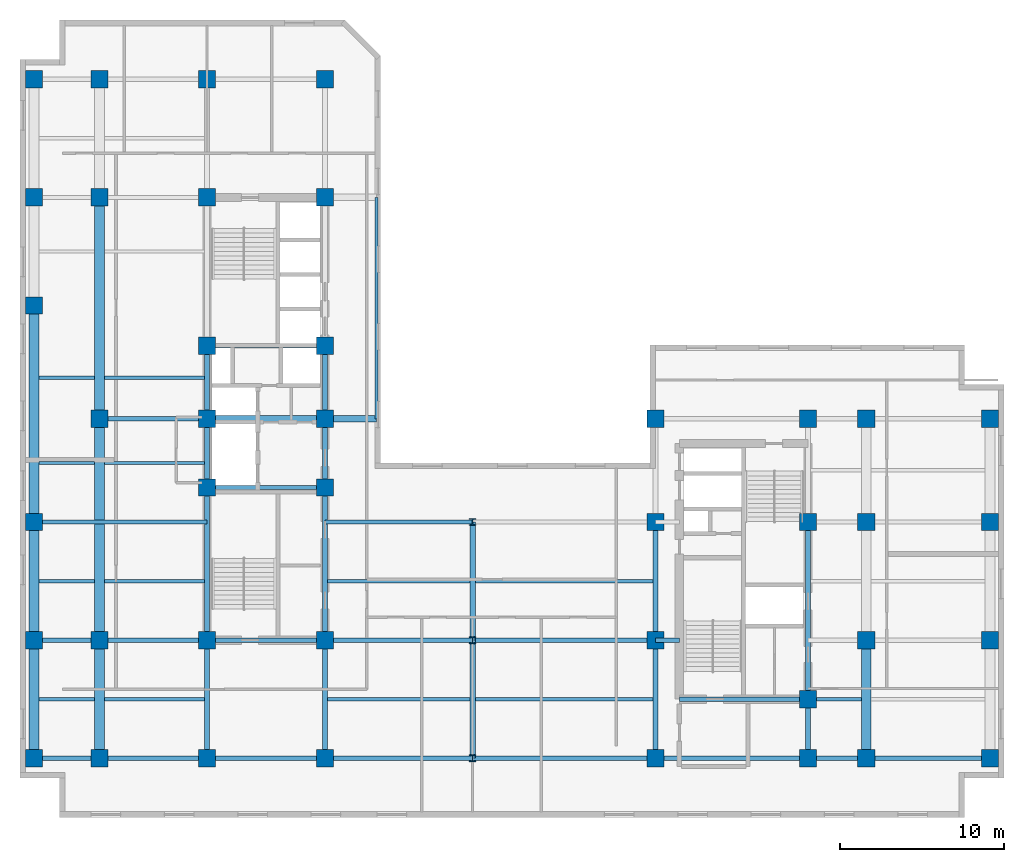
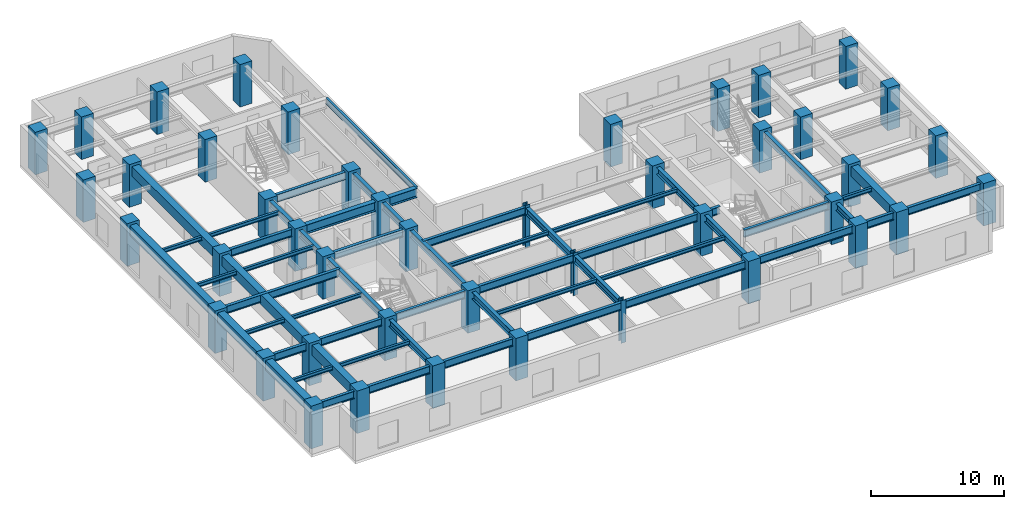
# One storey, part 1 of 9: 56 beams, 44 columns.
"""IFC4 building model written with IfcOpenShell, lengths in metres."""

from ifc_helpers import new_model, entity, si_unit, converted_unit, direction, frame, origin_with_axes, origin_2d_with_axis, place, context, subcontext, project, spatial, rectangle, i_section, extrude, material, material_profile, profile_set, type_object, element, save


model = new_model("IFC4")

# Units and contexts
model_context = context("Model", 3, precision=1e-05, world=origin_with_axes(), true_north=direction((0.0, 1.0)))
body_context = subcontext(model_context, "Body", "Model", "MODEL_VIEW")
ifc_project = project(units=[si_unit("LENGTHUNIT", "METRE"), si_unit("AREAUNIT", "SQUARE_METRE"), si_unit("VOLUMEUNIT", "CUBIC_METRE"), converted_unit("PLANEANGLEUNIT", "DEGREE", entity("IfcPlaneAngleMeasure", 0.017453292519943295), si_unit("PLANEANGLEUNIT", "RADIAN"), dimensions=[0, 0, 0, 0, 0, 0, 0]), si_unit("MASSUNIT", "GRAM", prefix="KILO"), si_unit("THERMODYNAMICTEMPERATUREUNIT", "KELVIN")], contexts=[model_context])

# Site, building, storey
site_placement = place(None, origin_with_axes())
site = spatial("IfcSite", under=ifc_project, at=site_placement, CompositionType="ELEMENT")
building_placement = place(site_placement, origin_with_axes())
building = spatial("IfcBuilding", under=site, at=building_placement, Name="Varnlund Millrace Tower", CompositionType="ELEMENT")
storey_placement = place(building_placement, frame((0.0, 0.0, 140.7), z_axis=(0.0, 0.0, 1.0), x_axis=(1.0, 0.0, 0.0)))
storey = spatial("IfcBuildingStorey", under=building, at=storey_placement, Name="L34", CompositionType="ELEMENT", Elevation=140.7)

# Columns
ifc_material_1 = material(Name="Steel ASTM A913 Grade 65", Category="steel")
ifc_material_profile_1 = material_profile(ifc_material_1, i_section(OverallWidth=0.406, OverallDepth=0.416, WebThickness=0.0298, FlangeThickness=0.048, FilletRadius=0.022, at=origin_2d_with_axis()), Name="Steel ASTM A913 Grade 65")
ifc_profile_set_1 = profile_set([ifc_material_profile_1], Name="Steel ASTM A913 Grade 65")
column_type_1 = type_object("IfcColumnType", Name="Type-Col-Int-W14X257", PredefinedType="COLUMN", material=ifc_profile_set_1)
for number, where, z_axis, x_axis, name in (
    (1, (27.6, 3.6, 0.0), (0.0, 0.0, 1.0), (1.0, 0.0, 0.0), "Type-Col-Int-W14X257"),
    (2, (27.6, 10.8, 0.0), (0.0, 0.0, 1.0), (1.0, 0.0, 0.0), "Type-Col-Int-W14X257"),
    (3, (27.6, 18.0, 0.0), (0.0, 0.0, 1.0), (1.0, 0.0, 0.0), "Type-Col-Int-W14X257"),
):
    element("IfcColumn", number, at=place(storey_placement, frame(where, z_axis=z_axis, x_axis=x_axis)), inside=storey, type_object=column_type_1, Name=name, PredefinedType="COLUMN", context=body_context, shape_type="SweptSolid", body=[
        extrude(i_section(OverallWidth=0.406, OverallDepth=0.416, WebThickness=0.0298, FlangeThickness=0.048, FilletRadius=0.022, at=origin_2d_with_axis()), origin_with_axes(), (0.0, 0.0, 1.0), 3.9),
    ])
ifc_material_2 = material(Name="Concrete C70/85", Category="concrete")
ifc_material_profile_2 = material_profile(ifc_material_2, rectangle(XDim=1.05, YDim=1.05, at=origin_2d_with_axis()), Name="Concrete C70/85")
ifc_profile_set_2 = profile_set([ifc_material_profile_2], Name="Concrete C70/85")
column_type_2 = type_object("IfcColumnType", Name="Type-Col-RC1050-C70", PredefinedType="COLUMN", material=ifc_profile_set_2)
for number, where, z_axis, x_axis, name in (
    (4, (11.4, 3.6, 0.0), (0.0, 0.0, 1.0), (1.0, 0.0, 0.0), "Type-Col-RC1050-C70"),
    (5, (11.4, 10.8, 0.0), (0.0, 0.0, 1.0), (1.0, 0.0, 0.0), "Type-Col-RC1050-C70"),
    (6, (11.4, 20.1, 0.0), (0.0, 0.0, 1.0), (1.0, 0.0, 0.0), "Type-Col-RC1050-C70"),
    (7, (11.4, 24.3, 0.0), (0.0, 0.0, 1.0), (1.0, 0.0, 0.0), "Type-Col-RC1050-C70"),
    (8, (11.4, 28.75, 0.0), (0.0, 0.0, 1.0), (1.0, 0.0, 0.0), "Type-Col-RC1050-C70"),
    (9, (11.4, 37.8, 0.0), (0.0, 0.0, 1.0), (1.0, 0.0, 0.0), "Type-Col-RC1050-C70"),
    (10, (11.4, 45.0, 0.0), (0.0, 0.0, 1.0), (1.0, 0.0, 0.0), "Type-Col-RC1050-C70"),
    (11, (18.6, 3.6, 0.0), (0.0, 0.0, 1.0), (1.0, 0.0, 0.0), "Type-Col-RC1050-C70"),
    (12, (18.6, 10.8, 0.0), (0.0, 0.0, 1.0), (1.0, 0.0, 0.0), "Type-Col-RC1050-C70"),
    (13, (18.6, 20.1, 0.0), (0.0, 0.0, 1.0), (1.0, 0.0, 0.0), "Type-Col-RC1050-C70"),
    (14, (18.6, 24.3, 0.0), (0.0, 0.0, 1.0), (1.0, 0.0, 0.0), "Type-Col-RC1050-C70"),
    (15, (18.6, 28.75, 0.0), (0.0, 0.0, 1.0), (1.0, 0.0, 0.0), "Type-Col-RC1050-C70"),
    (16, (18.6, 37.8, 0.0), (0.0, 0.0, 1.0), (1.0, 0.0, 0.0), "Type-Col-RC1050-C70"),
    (17, (18.6, 45.0, 0.0), (0.0, 0.0, 1.0), (1.0, 0.0, 0.0), "Type-Col-RC1050-C70"),
    (18, (4.85, 3.6, 0.0), (0.0, 0.0, 1.0), (1.0, 0.0, 0.0), "Type-Col-RC1050-C70"),
    (19, (4.85, 10.8, 0.0), (0.0, 0.0, 1.0), (1.0, 0.0, 0.0), "Type-Col-RC1050-C70"),
    (20, (4.85, 24.3, 0.0), (0.0, 0.0, 1.0), (1.0, 0.0, 0.0), "Type-Col-RC1050-C70"),
    (21, (4.85, 37.8, 0.0), (0.0, 0.0, 1.0), (1.0, 0.0, 0.0), "Type-Col-RC1050-C70"),
    (22, (4.85, 45.0, 0.0), (0.0, 0.0, 1.0), (1.0, 0.0, 0.0), "Type-Col-RC1050-C70"),
    (23, (0.85, 3.6, 0.0), (0.0, 0.0, 1.0), (1.0, 0.0, 0.0), "Type-Col-RC1050-C70"),
    (24, (0.85, 10.8, 0.0), (0.0, 0.0, 1.0), (1.0, 0.0, 0.0), "Type-Col-RC1050-C70"),
    (25, (0.85, 18.0, 0.0), (0.0, 0.0, 1.0), (1.0, 0.0, 0.0), "Type-Col-RC1050-C70"),
    (26, (0.85, 31.2, 0.0), (0.0, 0.0, 1.0), (1.0, 0.0, 0.0), "Type-Col-RC1050-C70"),
    (27, (0.85, 37.8, 0.0), (0.0, 0.0, 1.0), (1.0, 0.0, 0.0), "Type-Col-RC1050-C70"),
    (28, (0.85, 45.0, 0.0), (0.0, 0.0, 1.0), (1.0, 0.0, 0.0), "Type-Col-RC1050-C70"),
    (29, (38.75, 3.6, 0.0), (0.0, 0.0, 1.0), (1.0, 0.0, 0.0), "Type-Col-RC1050-C70"),
    (30, (38.75, 10.8, 0.0), (0.0, 0.0, 1.0), (1.0, 0.0, 0.0), "Type-Col-RC1050-C70"),
    (31, (38.75, 18.0, 0.0), (0.0, 0.0, 1.0), (1.0, 0.0, 0.0), "Type-Col-RC1050-C70"),
    (32, (38.75, 24.3, 0.0), (0.0, 0.0, 1.0), (1.0, 0.0, 0.0), "Type-Col-RC1050-C70"),
    (33, (48.05, 3.6, 0.0), (0.0, 0.0, 1.0), (1.0, 0.0, 0.0), "Type-Col-RC1050-C70"),
    (34, (48.05, 7.2, 0.0), (0.0, 0.0, 1.0), (1.0, 0.0, 0.0), "Type-Col-RC1050-C70"),
    (35, (48.05, 18.0, 0.0), (0.0, 0.0, 1.0), (1.0, 0.0, 0.0), "Type-Col-RC1050-C70"),
    (36, (48.05, 24.3, 0.0), (0.0, 0.0, 1.0), (1.0, 0.0, 0.0), "Type-Col-RC1050-C70"),
    (37, (51.6, 3.6, 0.0), (0.0, 0.0, 1.0), (1.0, 0.0, 0.0), "Type-Col-RC1050-C70"),
    (38, (51.6, 10.8, 0.0), (0.0, 0.0, 1.0), (1.0, 0.0, 0.0), "Type-Col-RC1050-C70"),
    (39, (51.6, 18.0, 0.0), (0.0, 0.0, 1.0), (1.0, 0.0, 0.0), "Type-Col-RC1050-C70"),
    (40, (51.6, 24.3, 0.0), (0.0, 0.0, 1.0), (1.0, 0.0, 0.0), "Type-Col-RC1050-C70"),
    (41, (59.15, 3.6, 0.0), (0.0, 0.0, 1.0), (1.0, 0.0, 0.0), "Type-Col-RC1050-C70"),
    (42, (59.15, 10.8, 0.0), (0.0, 0.0, 1.0), (1.0, 0.0, 0.0), "Type-Col-RC1050-C70"),
    (43, (59.15, 18.0, 0.0), (0.0, 0.0, 1.0), (1.0, 0.0, 0.0), "Type-Col-RC1050-C70"),
    (44, (59.15, 24.3, 0.0), (0.0, 0.0, 1.0), (1.0, 0.0, 0.0), "Type-Col-RC1050-C70"),
):
    element("IfcColumn", number, at=place(storey_placement, frame(where, z_axis=z_axis, x_axis=x_axis)), inside=storey, type_object=column_type_2, Name=name, PredefinedType="COLUMN", context=body_context, shape_type="SweptSolid", body=[
        extrude(rectangle(XDim=1.05, YDim=1.05, at=origin_2d_with_axis()), origin_with_axes(), (0.0, 0.0, 1.0), 3.9),
    ])

# Beams
ifc_material_3 = material(Name="Steel ASTM A992 Grade 50", Category="steel")
ifc_material_profile_3 = material_profile(ifc_material_3, i_section(OverallWidth=0.209, OverallDepth=0.533, WebThickness=0.0102, FlangeThickness=0.0156, FilletRadius=0.014, at=origin_2d_with_axis()), Name="Steel ASTM A992 Grade 50")
ifc_profile_set_3 = profile_set([ifc_material_profile_3], Name="Steel ASTM A992 Grade 50")
beam_type_1 = type_object("IfcBeamType", Name="Type-Beam-W21X62", PredefinedType="BEAM", material=ifc_profile_set_3)
beam_1_placement = place(storey_placement, frame((21.739, 24.3, 3.3935), z_axis=(0.0, 1.0, 0.0), x_axis=(-1.0, 0.0, 0.0)))
element("IfcBeam", 45, at=beam_1_placement, inside=storey, type_object=beam_type_1, Name="Type-Beam-W21X62", PredefinedType="BEAM", context=body_context, shape_type="SweptSolid", body=[
    extrude(i_section(OverallWidth=0.209, OverallDepth=0.533, WebThickness=0.0102, FlangeThickness=0.0156, FilletRadius=0.014, at=origin_2d_with_axis()), origin_with_axes(), (0.0, 0.0, 1.0), 13.5),
])
ifc_material_profile_4 = material_profile(ifc_material_3, i_section(OverallWidth=0.328, OverallDepth=0.628, WebThickness=0.0165, FlangeThickness=0.0277, FilletRadius=0.018, at=origin_2d_with_axis()), Name="Steel ASTM A992 Grade 50")
ifc_profile_set_4 = profile_set([ifc_material_profile_4], Name="Steel ASTM A992 Grade 50")
beam_type_2 = type_object("IfcBeamType", Name="Type-Girder-W24X146", PredefinedType="USERDEFINED", material=ifc_profile_set_4)
beam_2_placement = place(storey_placement, frame((11.4, 3.6, 3.346), z_axis=(0.0, 1.0, 0.0), x_axis=(-1.0, 0.0, 0.0)))
element("IfcBeam", 46, at=beam_2_placement, inside=storey, type_object=beam_type_2, Name="Type-Girder-W24X146", ObjectType="GIRDER", PredefinedType="USERDEFINED", context=body_context, shape_type="SweptSolid", body=[
    extrude(i_section(OverallWidth=0.328, OverallDepth=0.628, WebThickness=0.0165, FlangeThickness=0.0277, FilletRadius=0.018, at=origin_2d_with_axis()), origin_with_axes(), (0.0, 0.0, 1.0), 7.2),
])
beam_3_placement = place(storey_placement, frame((11.4, 10.8, 3.346), z_axis=(0.0, 1.0, 0.0), x_axis=(-1.0, 0.0, 0.0)))
element("IfcBeam", 47, at=beam_3_placement, inside=storey, type_object=beam_type_2, Name="Type-Girder-W24X146", ObjectType="GIRDER", PredefinedType="USERDEFINED", context=body_context, shape_type="SweptSolid", body=[
    extrude(i_section(OverallWidth=0.328, OverallDepth=0.628, WebThickness=0.0165, FlangeThickness=0.0277, FilletRadius=0.018, at=origin_2d_with_axis()), origin_with_axes(), (0.0, 0.0, 1.0), 9.3),
])
beam_4_placement = place(storey_placement, frame((11.4, 20.1, 3.346), z_axis=(0.0, 1.0, 0.0), x_axis=(-1.0, 0.0, 0.0)))
element("IfcBeam", 48, at=beam_4_placement, inside=storey, type_object=beam_type_2, Name="Type-Girder-W24X146", ObjectType="GIRDER", PredefinedType="USERDEFINED", context=body_context, shape_type="SweptSolid", body=[
    extrude(i_section(OverallWidth=0.328, OverallDepth=0.628, WebThickness=0.0165, FlangeThickness=0.0277, FilletRadius=0.018, at=origin_2d_with_axis()), origin_with_axes(), (0.0, 0.0, 1.0), 4.2),
])
beam_5_placement = place(storey_placement, frame((11.4, 24.3, 3.346), z_axis=(0.0, 1.0, 0.0), x_axis=(-1.0, 0.0, 0.0)))
element("IfcBeam", 49, at=beam_5_placement, inside=storey, type_object=beam_type_2, Name="Type-Girder-W24X146", ObjectType="GIRDER", PredefinedType="USERDEFINED", context=body_context, shape_type="SweptSolid", body=[
    extrude(i_section(OverallWidth=0.328, OverallDepth=0.628, WebThickness=0.0165, FlangeThickness=0.0277, FilletRadius=0.018, at=origin_2d_with_axis()), origin_with_axes(), (0.0, 0.0, 1.0), 4.45),
])
beam_6_placement = place(storey_placement, frame((18.6, 3.6, 3.346), z_axis=(0.0, 1.0, 0.0), x_axis=(-1.0, 0.0, 0.0)))
element("IfcBeam", 50, at=beam_6_placement, inside=storey, type_object=beam_type_2, Name="Type-Girder-W24X146", ObjectType="GIRDER", PredefinedType="USERDEFINED", context=body_context, shape_type="SweptSolid", body=[
    extrude(i_section(OverallWidth=0.328, OverallDepth=0.628, WebThickness=0.0165, FlangeThickness=0.0277, FilletRadius=0.018, at=origin_2d_with_axis()), origin_with_axes(), (0.0, 0.0, 1.0), 7.2),
])
beam_7_placement = place(storey_placement, frame((18.6, 10.8, 3.346), z_axis=(0.0, 1.0, 0.0), x_axis=(-1.0, 0.0, 0.0)))
element("IfcBeam", 51, at=beam_7_placement, inside=storey, type_object=beam_type_2, Name="Type-Girder-W24X146", ObjectType="GIRDER", PredefinedType="USERDEFINED", context=body_context, shape_type="SweptSolid", body=[
    extrude(i_section(OverallWidth=0.328, OverallDepth=0.628, WebThickness=0.0165, FlangeThickness=0.0277, FilletRadius=0.018, at=origin_2d_with_axis()), origin_with_axes(), (0.0, 0.0, 1.0), 9.3),
])
beam_8_placement = place(storey_placement, frame((18.6, 20.1, 3.346), z_axis=(0.0, 1.0, 0.0), x_axis=(-1.0, 0.0, 0.0)))
element("IfcBeam", 52, at=beam_8_placement, inside=storey, type_object=beam_type_2, Name="Type-Girder-W24X146", ObjectType="GIRDER", PredefinedType="USERDEFINED", context=body_context, shape_type="SweptSolid", body=[
    extrude(i_section(OverallWidth=0.328, OverallDepth=0.628, WebThickness=0.0165, FlangeThickness=0.0277, FilletRadius=0.018, at=origin_2d_with_axis()), origin_with_axes(), (0.0, 0.0, 1.0), 4.2),
])
beam_9_placement = place(storey_placement, frame((18.6, 24.3, 3.346), z_axis=(0.0, 1.0, 0.0), x_axis=(-1.0, 0.0, 0.0)))
element("IfcBeam", 53, at=beam_9_placement, inside=storey, type_object=beam_type_2, Name="Type-Girder-W24X146", ObjectType="GIRDER", PredefinedType="USERDEFINED", context=body_context, shape_type="SweptSolid", body=[
    extrude(i_section(OverallWidth=0.328, OverallDepth=0.628, WebThickness=0.0165, FlangeThickness=0.0277, FilletRadius=0.018, at=origin_2d_with_axis()), origin_with_axes(), (0.0, 0.0, 1.0), 4.45),
])
for number, where, z_axis, x_axis, name in (
    (54, (27.6, 3.6, 3.346), (0.0, 1.0, 0.0), (-1.0, 0.0, 0.0), "Type-Girder-W24X146"),
    (55, (27.6, 10.8, 3.346), (0.0, 1.0, 0.0), (-1.0, 0.0, 0.0), "Type-Girder-W24X146"),
    (56, (38.75, 3.6, 3.346), (0.0, 1.0, 0.0), (-1.0, 0.0, 0.0), "Type-Girder-W24X146"),
    (57, (38.75, 10.8, 3.346), (0.0, 1.0, 0.0), (-1.0, 0.0, 0.0), "Type-Girder-W24X146"),
):
    element("IfcBeam", number, at=place(storey_placement, frame(where, z_axis=z_axis, x_axis=x_axis)), inside=storey, type_object=beam_type_2, Name=name, ObjectType="GIRDER", PredefinedType="USERDEFINED", context=body_context, shape_type="SweptSolid", body=[
        extrude(i_section(OverallWidth=0.328, OverallDepth=0.628, WebThickness=0.0165, FlangeThickness=0.0277, FilletRadius=0.018, at=origin_2d_with_axis()), origin_with_axes(), (0.0, 0.0, 1.0), 7.2),
    ])
beam_10_placement = place(storey_placement, frame((48.05, 3.6, 3.346), z_axis=(0.0, 1.0, 0.0), x_axis=(-1.0, 0.0, 0.0)))
element("IfcBeam", 58, at=beam_10_placement, inside=storey, type_object=beam_type_2, Name="Type-Girder-W24X146", ObjectType="GIRDER", PredefinedType="USERDEFINED", context=body_context, shape_type="SweptSolid", body=[
    extrude(i_section(OverallWidth=0.328, OverallDepth=0.628, WebThickness=0.0165, FlangeThickness=0.0277, FilletRadius=0.018, at=origin_2d_with_axis()), origin_with_axes(), (0.0, 0.0, 1.0), 3.6),
])
beam_11_placement = place(storey_placement, frame((48.05, 7.2, 3.346), z_axis=(0.0, 1.0, 0.0), x_axis=(-1.0, 0.0, 0.0)))
element("IfcBeam", 59, at=beam_11_placement, inside=storey, type_object=beam_type_2, Name="Type-Girder-W24X146", ObjectType="GIRDER", PredefinedType="USERDEFINED", context=body_context, shape_type="SweptSolid", body=[
    extrude(i_section(OverallWidth=0.328, OverallDepth=0.628, WebThickness=0.0165, FlangeThickness=0.0277, FilletRadius=0.018, at=origin_2d_with_axis()), origin_with_axes(), (0.0, 0.0, 1.0), 10.8),
])
ifc_material_profile_5 = material_profile(ifc_material_3, i_section(OverallWidth=0.256, OverallDepth=0.693, WebThickness=0.0145, FlangeThickness=0.0236, FilletRadius=0.018, at=origin_2d_with_axis()), Name="Steel ASTM A992 Grade 50")
ifc_profile_set_5 = profile_set([ifc_material_profile_5], Name="Steel ASTM A992 Grade 50")
beam_type_3 = type_object("IfcBeamType", Name="Type-Girder-W27X114", PredefinedType="USERDEFINED", material=ifc_profile_set_5)
beam_12_placement = place(storey_placement, frame((0.85, 3.6, 3.3135), z_axis=(1.0, 0.0, 0.0), x_axis=(0.0, 1.0, 0.0)))
element("IfcBeam", 60, at=beam_12_placement, inside=storey, type_object=beam_type_3, Name="Type-Girder-W27X114", ObjectType="GIRDER", PredefinedType="USERDEFINED", context=body_context, shape_type="SweptSolid", body=[
    extrude(i_section(OverallWidth=0.256, OverallDepth=0.693, WebThickness=0.0145, FlangeThickness=0.0236, FilletRadius=0.018, at=origin_2d_with_axis()), origin_with_axes(), (0.0, 0.0, 1.0), 4.0),
])
beam_13_placement = place(storey_placement, frame((4.85, 3.6, 3.3135), z_axis=(1.0, 0.0, 0.0), x_axis=(0.0, 1.0, 0.0)))
element("IfcBeam", 61, at=beam_13_placement, inside=storey, type_object=beam_type_3, Name="Type-Girder-W27X114", ObjectType="GIRDER", PredefinedType="USERDEFINED", context=body_context, shape_type="SweptSolid", body=[
    extrude(i_section(OverallWidth=0.256, OverallDepth=0.693, WebThickness=0.0145, FlangeThickness=0.0236, FilletRadius=0.018, at=origin_2d_with_axis()), origin_with_axes(), (0.0, 0.0, 1.0), 6.55),
])
beam_14_placement = place(storey_placement, frame((11.4, 3.6, 3.3135), z_axis=(1.0, 0.0, 0.0), x_axis=(0.0, 1.0, 0.0)))
element("IfcBeam", 62, at=beam_14_placement, inside=storey, type_object=beam_type_3, Name="Type-Girder-W27X114", ObjectType="GIRDER", PredefinedType="USERDEFINED", context=body_context, shape_type="SweptSolid", body=[
    extrude(i_section(OverallWidth=0.256, OverallDepth=0.693, WebThickness=0.0145, FlangeThickness=0.0236, FilletRadius=0.018, at=origin_2d_with_axis()), origin_with_axes(), (0.0, 0.0, 1.0), 7.2),
])
beam_15_placement = place(storey_placement, frame((18.6, 3.6, 3.3135), z_axis=(1.0, 0.0, 0.0), x_axis=(0.0, 1.0, 0.0)))
element("IfcBeam", 63, at=beam_15_placement, inside=storey, type_object=beam_type_3, Name="Type-Girder-W27X114", ObjectType="GIRDER", PredefinedType="USERDEFINED", context=body_context, shape_type="SweptSolid", body=[
    extrude(i_section(OverallWidth=0.256, OverallDepth=0.693, WebThickness=0.0145, FlangeThickness=0.0236, FilletRadius=0.018, at=origin_2d_with_axis()), origin_with_axes(), (0.0, 0.0, 1.0), 9.0),
])
beam_16_placement = place(storey_placement, frame((27.6, 3.6, 3.3135), z_axis=(1.0, 0.0, 0.0), x_axis=(0.0, 1.0, 0.0)))
element("IfcBeam", 64, at=beam_16_placement, inside=storey, type_object=beam_type_3, Name="Type-Girder-W27X114", ObjectType="GIRDER", PredefinedType="USERDEFINED", context=body_context, shape_type="SweptSolid", body=[
    extrude(i_section(OverallWidth=0.256, OverallDepth=0.693, WebThickness=0.0145, FlangeThickness=0.0236, FilletRadius=0.018, at=origin_2d_with_axis()), origin_with_axes(), (0.0, 0.0, 1.0), 11.15),
])
beam_17_placement = place(storey_placement, frame((38.75, 3.6, 3.3135), z_axis=(1.0, 0.0, 0.0), x_axis=(0.0, 1.0, 0.0)))
element("IfcBeam", 65, at=beam_17_placement, inside=storey, type_object=beam_type_3, Name="Type-Girder-W27X114", ObjectType="GIRDER", PredefinedType="USERDEFINED", context=body_context, shape_type="SweptSolid", body=[
    extrude(i_section(OverallWidth=0.256, OverallDepth=0.693, WebThickness=0.0145, FlangeThickness=0.0236, FilletRadius=0.018, at=origin_2d_with_axis()), origin_with_axes(), (0.0, 0.0, 1.0), 9.3),
])
beam_18_placement = place(storey_placement, frame((48.05, 3.6, 3.3135), z_axis=(1.0, 0.0, 0.0), x_axis=(0.0, 1.0, 0.0)))
element("IfcBeam", 66, at=beam_18_placement, inside=storey, type_object=beam_type_3, Name="Type-Girder-W27X114", ObjectType="GIRDER", PredefinedType="USERDEFINED", context=body_context, shape_type="SweptSolid", body=[
    extrude(i_section(OverallWidth=0.256, OverallDepth=0.693, WebThickness=0.0145, FlangeThickness=0.0236, FilletRadius=0.018, at=origin_2d_with_axis()), origin_with_axes(), (0.0, 0.0, 1.0), 3.55),
])
beam_19_placement = place(storey_placement, frame((51.6, 3.6, 3.3135), z_axis=(1.0, 0.0, 0.0), x_axis=(0.0, 1.0, 0.0)))
element("IfcBeam", 67, at=beam_19_placement, inside=storey, type_object=beam_type_3, Name="Type-Girder-W27X114", ObjectType="GIRDER", PredefinedType="USERDEFINED", context=body_context, shape_type="SweptSolid", body=[
    extrude(i_section(OverallWidth=0.256, OverallDepth=0.693, WebThickness=0.0145, FlangeThickness=0.0236, FilletRadius=0.018, at=origin_2d_with_axis()), origin_with_axes(), (0.0, 0.0, 1.0), 7.55),
])
beam_20_placement = place(storey_placement, frame((40.2, 7.2, 3.3135), z_axis=(1.0, 0.0, 0.0), x_axis=(0.0, 1.0, 0.0)))
element("IfcBeam", 68, at=beam_20_placement, inside=storey, type_object=beam_type_3, Name="Type-Girder-W27X114", ObjectType="GIRDER", PredefinedType="USERDEFINED", context=body_context, shape_type="SweptSolid", body=[
    extrude(i_section(OverallWidth=0.256, OverallDepth=0.693, WebThickness=0.0145, FlangeThickness=0.0236, FilletRadius=0.018, at=origin_2d_with_axis()), origin_with_axes(), (0.0, 0.0, 1.0), 7.85),
])
beam_21_placement = place(storey_placement, frame((0.85, 10.8, 3.3135), z_axis=(1.0, 0.0, 0.0), x_axis=(0.0, 1.0, 0.0)))
element("IfcBeam", 69, at=beam_21_placement, inside=storey, type_object=beam_type_3, Name="Type-Girder-W27X114", ObjectType="GIRDER", PredefinedType="USERDEFINED", context=body_context, shape_type="SweptSolid", body=[
    extrude(i_section(OverallWidth=0.256, OverallDepth=0.693, WebThickness=0.0145, FlangeThickness=0.0236, FilletRadius=0.018, at=origin_2d_with_axis()), origin_with_axes(), (0.0, 0.0, 1.0), 4.0),
])
beam_22_placement = place(storey_placement, frame((4.85, 10.8, 3.3135), z_axis=(1.0, 0.0, 0.0), x_axis=(0.0, 1.0, 0.0)))
element("IfcBeam", 70, at=beam_22_placement, inside=storey, type_object=beam_type_3, Name="Type-Girder-W27X114", ObjectType="GIRDER", PredefinedType="USERDEFINED", context=body_context, shape_type="SweptSolid", body=[
    extrude(i_section(OverallWidth=0.256, OverallDepth=0.693, WebThickness=0.0145, FlangeThickness=0.0236, FilletRadius=0.018, at=origin_2d_with_axis()), origin_with_axes(), (0.0, 0.0, 1.0), 6.55),
])
beam_23_placement = place(storey_placement, frame((11.4, 10.8, 3.3135), z_axis=(1.0, 0.0, 0.0), x_axis=(0.0, 1.0, 0.0)))
element("IfcBeam", 71, at=beam_23_placement, inside=storey, type_object=beam_type_3, Name="Type-Girder-W27X114", ObjectType="GIRDER", PredefinedType="USERDEFINED", context=body_context, shape_type="SweptSolid", body=[
    extrude(i_section(OverallWidth=0.256, OverallDepth=0.693, WebThickness=0.0145, FlangeThickness=0.0236, FilletRadius=0.018, at=origin_2d_with_axis()), origin_with_axes(), (0.0, 0.0, 1.0), 7.2),
])
beam_24_placement = place(storey_placement, frame((18.6, 10.8, 3.3135), z_axis=(1.0, 0.0, 0.0), x_axis=(0.0, 1.0, 0.0)))
element("IfcBeam", 72, at=beam_24_placement, inside=storey, type_object=beam_type_3, Name="Type-Girder-W27X114", ObjectType="GIRDER", PredefinedType="USERDEFINED", context=body_context, shape_type="SweptSolid", body=[
    extrude(i_section(OverallWidth=0.256, OverallDepth=0.693, WebThickness=0.0145, FlangeThickness=0.0236, FilletRadius=0.018, at=origin_2d_with_axis()), origin_with_axes(), (0.0, 0.0, 1.0), 9.0),
])
beam_25_placement = place(storey_placement, frame((27.6, 10.8, 3.3135), z_axis=(1.0, 0.0, 0.0), x_axis=(0.0, 1.0, 0.0)))
element("IfcBeam", 73, at=beam_25_placement, inside=storey, type_object=beam_type_3, Name="Type-Girder-W27X114", ObjectType="GIRDER", PredefinedType="USERDEFINED", context=body_context, shape_type="SweptSolid", body=[
    extrude(i_section(OverallWidth=0.256, OverallDepth=0.693, WebThickness=0.0145, FlangeThickness=0.0236, FilletRadius=0.018, at=origin_2d_with_axis()), origin_with_axes(), (0.0, 0.0, 1.0), 11.15),
])
beam_26_placement = place(storey_placement, frame((38.75, 10.8, 3.3135), z_axis=(1.0, 0.0, 0.0), x_axis=(0.0, 1.0, 0.0)))
element("IfcBeam", 74, at=beam_26_placement, inside=storey, type_object=beam_type_3, Name="Type-Girder-W27X114", ObjectType="GIRDER", PredefinedType="USERDEFINED", context=body_context, shape_type="SweptSolid", body=[
    extrude(i_section(OverallWidth=0.256, OverallDepth=0.693, WebThickness=0.0145, FlangeThickness=0.0236, FilletRadius=0.018, at=origin_2d_with_axis()), origin_with_axes(), (0.0, 0.0, 1.0), 1.45),
])
beam_27_placement = place(storey_placement, frame((0.85, 18.0, 3.3135), z_axis=(1.0, 0.0, 0.0), x_axis=(0.0, 1.0, 0.0)))
element("IfcBeam", 75, at=beam_27_placement, inside=storey, type_object=beam_type_3, Name="Type-Girder-W27X114", ObjectType="GIRDER", PredefinedType="USERDEFINED", context=body_context, shape_type="SweptSolid", body=[
    extrude(i_section(OverallWidth=0.256, OverallDepth=0.693, WebThickness=0.0145, FlangeThickness=0.0236, FilletRadius=0.018, at=origin_2d_with_axis()), origin_with_axes(), (0.0, 0.0, 1.0), 10.55),
])
beam_28_placement = place(storey_placement, frame((18.6, 18.0, 3.3135), z_axis=(1.0, 0.0, 0.0), x_axis=(0.0, 1.0, 0.0)))
element("IfcBeam", 76, at=beam_28_placement, inside=storey, type_object=beam_type_3, Name="Type-Girder-W27X114", ObjectType="GIRDER", PredefinedType="USERDEFINED", context=body_context, shape_type="SweptSolid", body=[
    extrude(i_section(OverallWidth=0.256, OverallDepth=0.693, WebThickness=0.0145, FlangeThickness=0.0236, FilletRadius=0.018, at=origin_2d_with_axis()), origin_with_axes(), (0.0, 0.0, 1.0), 9.0),
])
beam_29_placement = place(storey_placement, frame((11.4, 20.1, 3.3135), z_axis=(1.0, 0.0, 0.0), x_axis=(0.0, 1.0, 0.0)))
element("IfcBeam", 77, at=beam_29_placement, inside=storey, type_object=beam_type_3, Name="Type-Girder-W27X114", ObjectType="GIRDER", PredefinedType="USERDEFINED", context=body_context, shape_type="SweptSolid", body=[
    extrude(i_section(OverallWidth=0.256, OverallDepth=0.693, WebThickness=0.0145, FlangeThickness=0.0236, FilletRadius=0.018, at=origin_2d_with_axis()), origin_with_axes(), (0.0, 0.0, 1.0), 7.2),
])
beam_30_placement = place(storey_placement, frame((4.85, 24.3, 3.3135), z_axis=(1.0, 0.0, 0.0), x_axis=(0.0, 1.0, 0.0)))
element("IfcBeam", 78, at=beam_30_placement, inside=storey, type_object=beam_type_3, Name="Type-Girder-W27X114", ObjectType="GIRDER", PredefinedType="USERDEFINED", context=body_context, shape_type="SweptSolid", body=[
    extrude(i_section(OverallWidth=0.256, OverallDepth=0.693, WebThickness=0.0145, FlangeThickness=0.0236, FilletRadius=0.018, at=origin_2d_with_axis()), origin_with_axes(), (0.0, 0.0, 1.0), 6.55),
])
beam_31_placement = place(storey_placement, frame((11.4, 28.75, 3.3135), z_axis=(1.0, 0.0, 0.0), x_axis=(0.0, 1.0, 0.0)))
element("IfcBeam", 79, at=beam_31_placement, inside=storey, type_object=beam_type_3, Name="Type-Girder-W27X114", ObjectType="GIRDER", PredefinedType="USERDEFINED", context=body_context, shape_type="SweptSolid", body=[
    extrude(i_section(OverallWidth=0.256, OverallDepth=0.693, WebThickness=0.0145, FlangeThickness=0.0236, FilletRadius=0.018, at=origin_2d_with_axis()), origin_with_axes(), (0.0, 0.0, 1.0), 7.2),
])
ifc_material_profile_6 = material_profile(ifc_material_3, i_section(OverallWidth=0.399, OverallDepth=0.855, WebThickness=0.0182, FlangeThickness=0.0292, FilletRadius=0.022, at=origin_2d_with_axis()), Name="Steel ASTM A992 Grade 50")
ifc_profile_set_6 = profile_set([ifc_material_profile_6], Name="Steel ASTM A992 Grade 50")
beam_type_4 = type_object("IfcBeamType", Name="Type-Girder-W33X201", PredefinedType="USERDEFINED", material=ifc_profile_set_6)
beam_32_placement = place(storey_placement, frame((11.4, 24.3, 3.2325), z_axis=(1.0, 0.0, 0.0), x_axis=(0.0, 1.0, 0.0)))
element("IfcBeam", 80, at=beam_32_placement, inside=storey, type_object=beam_type_4, Name="Type-Girder-W33X201", ObjectType="GIRDER", PredefinedType="USERDEFINED", context=body_context, shape_type="SweptSolid", body=[
    extrude(i_section(OverallWidth=0.399, OverallDepth=0.855, WebThickness=0.0182, FlangeThickness=0.0292, FilletRadius=0.022, at=origin_2d_with_axis()), origin_with_axes(), (0.0, 0.0, 1.0), 10.339),
])
ifc_material_profile_7 = material_profile(ifc_material_3, i_section(OverallWidth=0.204, OverallDepth=0.35, WebThickness=0.0086, FlangeThickness=0.0151, FilletRadius=0.013, at=origin_2d_with_axis()), Name="Steel ASTM A992 Grade 50")
ifc_profile_set_7 = profile_set([ifc_material_profile_7], Name="Steel ASTM A992 Grade 50")
beam_type_5 = type_object("IfcBeamType", Name="Type-Joist-W14X48", PredefinedType="JOIST", material=ifc_profile_set_7)
for number, where, z_axis, x_axis, name in (
    (81, (1.15, 7.2, 3.485), (1.0, 0.0, 0.0), (0.0, 1.0, 0.0), "Type-Joist-W14X48"),
    (82, (1.15, 14.4, 3.485), (1.0, 0.0, 0.0), (0.0, 1.0, 0.0), "Type-Joist-W14X48"),
    (83, (1.15, 21.6, 3.485), (1.0, 0.0, 0.0), (0.0, 1.0, 0.0), "Type-Joist-W14X48"),
    (84, (1.15, 26.8, 3.485), (1.0, 0.0, 0.0), (0.0, 1.0, 0.0), "Type-Joist-W14X48"),
):
    element("IfcBeam", number, at=place(storey_placement, frame(where, z_axis=z_axis, x_axis=x_axis)), inside=storey, type_object=beam_type_5, Name=name, PredefinedType="JOIST", context=body_context, shape_type="SweptSolid", body=[
        extrude(i_section(OverallWidth=0.204, OverallDepth=0.35, WebThickness=0.0086, FlangeThickness=0.0151, FilletRadius=0.013, at=origin_2d_with_axis()), origin_with_axes(), (0.0, 0.0, 1.0), 3.4),
    ])
for number, where, z_axis, x_axis, name in (
    (85, (5.15, 7.2, 3.485), (1.0, 0.0, 0.0), (0.0, 1.0, 0.0), "Type-Joist-W14X48"),
    (86, (5.15, 14.4, 3.485), (1.0, 0.0, 0.0), (0.0, 1.0, 0.0), "Type-Joist-W14X48"),
    (87, (5.15, 21.6, 3.485), (1.0, 0.0, 0.0), (0.0, 1.0, 0.0), "Type-Joist-W14X48"),
    (88, (5.15, 26.8, 3.485), (1.0, 0.0, 0.0), (0.0, 1.0, 0.0), "Type-Joist-W14X48"),
):
    element("IfcBeam", number, at=place(storey_placement, frame(where, z_axis=z_axis, x_axis=x_axis)), inside=storey, type_object=beam_type_5, Name=name, PredefinedType="JOIST", context=body_context, shape_type="SweptSolid", body=[
        extrude(i_section(OverallWidth=0.204, OverallDepth=0.35, WebThickness=0.0086, FlangeThickness=0.0151, FilletRadius=0.013, at=origin_2d_with_axis()), origin_with_axes(), (0.0, 0.0, 1.0), 6.086),
    ])
beam_33_placement = place(storey_placement, frame((48.214, 7.2, 3.485), z_axis=(1.0, 0.0, 0.0), x_axis=(0.0, 1.0, 0.0)))
element("IfcBeam", 89, at=beam_33_placement, inside=storey, type_object=beam_type_5, Name="Type-Joist-W14X48", PredefinedType="JOIST", context=body_context, shape_type="SweptSolid", body=[
    extrude(i_section(OverallWidth=0.204, OverallDepth=0.35, WebThickness=0.0086, FlangeThickness=0.0151, FilletRadius=0.013, at=origin_2d_with_axis()), origin_with_axes(), (0.0, 0.0, 1.0), 3.086),
])
for number, where, z_axis, x_axis, name in (
    (90, (18.764, 7.2, 3.485), (1.0, 0.0, 0.0), (0.0, 1.0, 0.0), "Type-Joist-W14X48"),
    (91, (18.764, 14.4, 3.485), (1.0, 0.0, 0.0), (0.0, 1.0, 0.0), "Type-Joist-W14X48"),
):
    element("IfcBeam", number, at=place(storey_placement, frame(where, z_axis=z_axis, x_axis=x_axis)), inside=storey, type_object=beam_type_5, Name=name, PredefinedType="JOIST", context=body_context, shape_type="SweptSolid", body=[
        extrude(i_section(OverallWidth=0.204, OverallDepth=0.35, WebThickness=0.0086, FlangeThickness=0.0151, FilletRadius=0.013, at=origin_2d_with_axis()), origin_with_axes(), (0.0, 0.0, 1.0), 8.672),
    ])
for number, where, z_axis, x_axis, name in (
    (92, (27.764, 7.2, 3.485), (1.0, 0.0, 0.0), (0.0, 1.0, 0.0), "Type-Joist-W14X48"),
    (93, (27.764, 14.4, 3.485), (1.0, 0.0, 0.0), (0.0, 1.0, 0.0), "Type-Joist-W14X48"),
):
    element("IfcBeam", number, at=place(storey_placement, frame(where, z_axis=z_axis, x_axis=x_axis)), inside=storey, type_object=beam_type_5, Name=name, PredefinedType="JOIST", context=body_context, shape_type="SweptSolid", body=[
        extrude(i_section(OverallWidth=0.204, OverallDepth=0.35, WebThickness=0.0086, FlangeThickness=0.0151, FilletRadius=0.013, at=origin_2d_with_axis()), origin_with_axes(), (0.0, 0.0, 1.0), 10.822),
    ])
ifc_material_profile_8 = material_profile(ifc_material_2, rectangle(XDim=0.6, YDim=0.9, at=origin_2d_with_axis()), Name="Concrete C70/85")
ifc_profile_set_8 = profile_set([ifc_material_profile_8], Name="Concrete C70/85")
beam_type_6 = type_object("IfcBeamType", Name="Type-Spandrel-RC600X900", PredefinedType="SPANDREL", material=ifc_profile_set_8)
for number, where, z_axis, x_axis, name in (
    (94, (0.85, 3.6, 3.21), (0.0, 1.0, 0.0), (-1.0, 0.0, 0.0), "Type-Spandrel-RC600X900"),
    (95, (0.85, 10.8, 3.21), (0.0, 1.0, 0.0), (-1.0, 0.0, 0.0), "Type-Spandrel-RC600X900"),
):
    element("IfcBeam", number, at=place(storey_placement, frame(where, z_axis=z_axis, x_axis=x_axis)), inside=storey, type_object=beam_type_6, Name=name, PredefinedType="SPANDREL", context=body_context, shape_type="SweptSolid", body=[
        extrude(rectangle(XDim=0.6, YDim=0.9, at=origin_2d_with_axis()), origin_with_axes(), (0.0, 0.0, 1.0), 7.2),
    ])
beam_34_placement = place(storey_placement, frame((0.85, 18.0, 3.21), z_axis=(0.0, 1.0, 0.0), x_axis=(-1.0, 0.0, 0.0)))
element("IfcBeam", 96, at=beam_34_placement, inside=storey, type_object=beam_type_6, Name="Type-Spandrel-RC600X900", PredefinedType="SPANDREL", context=body_context, shape_type="SweptSolid", body=[
    extrude(rectangle(XDim=0.6, YDim=0.9, at=origin_2d_with_axis()), origin_with_axes(), (0.0, 0.0, 1.0), 13.2),
])
beam_35_placement = place(storey_placement, frame((4.85, 3.6, 3.21), z_axis=(0.0, 1.0, 0.0), x_axis=(-1.0, 0.0, 0.0)))
element("IfcBeam", 97, at=beam_35_placement, inside=storey, type_object=beam_type_6, Name="Type-Spandrel-RC600X900", PredefinedType="SPANDREL", context=body_context, shape_type="SweptSolid", body=[
    extrude(rectangle(XDim=0.6, YDim=0.9, at=origin_2d_with_axis()), origin_with_axes(), (0.0, 0.0, 1.0), 7.2),
])
for number, where, z_axis, x_axis, name in (
    (98, (4.85, 10.8, 3.21), (0.0, 1.0, 0.0), (-1.0, 0.0, 0.0), "Type-Spandrel-RC600X900"),
    (99, (4.85, 24.3, 3.21), (0.0, 1.0, 0.0), (-1.0, 0.0, 0.0), "Type-Spandrel-RC600X900"),
):
    element("IfcBeam", number, at=place(storey_placement, frame(where, z_axis=z_axis, x_axis=x_axis)), inside=storey, type_object=beam_type_6, Name=name, PredefinedType="SPANDREL", context=body_context, shape_type="SweptSolid", body=[
        extrude(rectangle(XDim=0.6, YDim=0.9, at=origin_2d_with_axis()), origin_with_axes(), (0.0, 0.0, 1.0), 13.5),
    ])
beam_36_placement = place(storey_placement, frame((51.6, 3.6, 3.21), z_axis=(0.0, 1.0, 0.0), x_axis=(-1.0, 0.0, 0.0)))
element("IfcBeam", 100, at=beam_36_placement, inside=storey, type_object=beam_type_6, Name="Type-Spandrel-RC600X900", PredefinedType="SPANDREL", context=body_context, shape_type="SweptSolid", body=[
    extrude(rectangle(XDim=0.6, YDim=0.9, at=origin_2d_with_axis()), origin_with_axes(), (0.0, 0.0, 1.0), 7.2),
])

save(model, "model.ifc")
